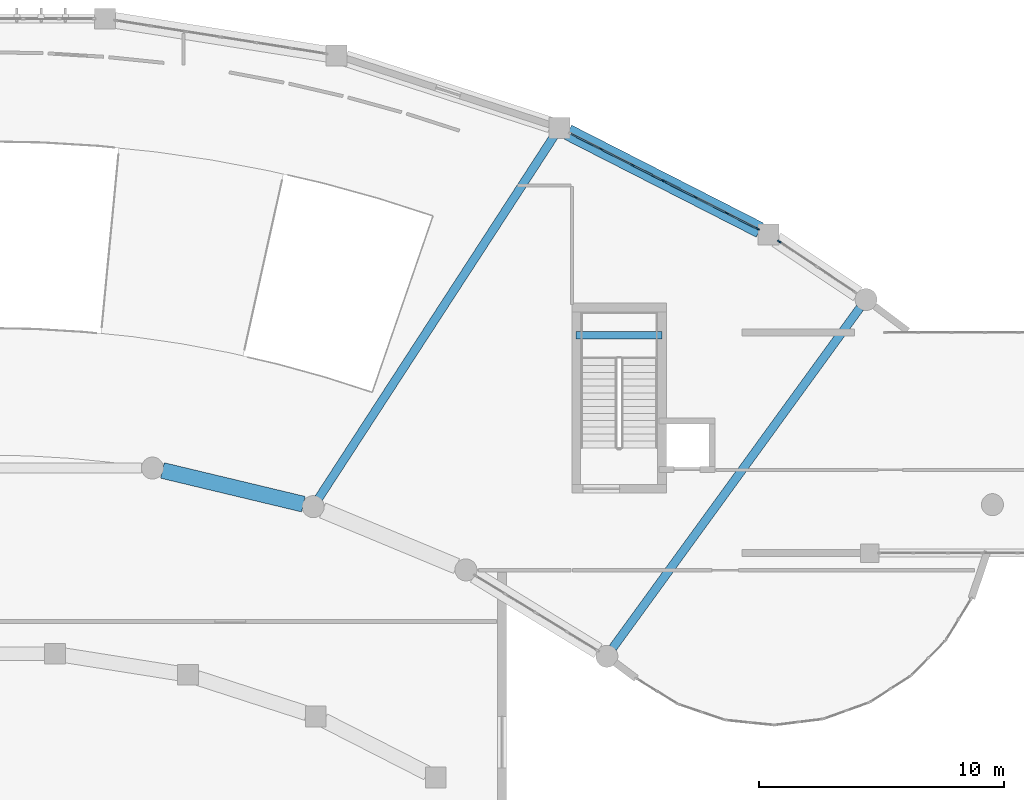
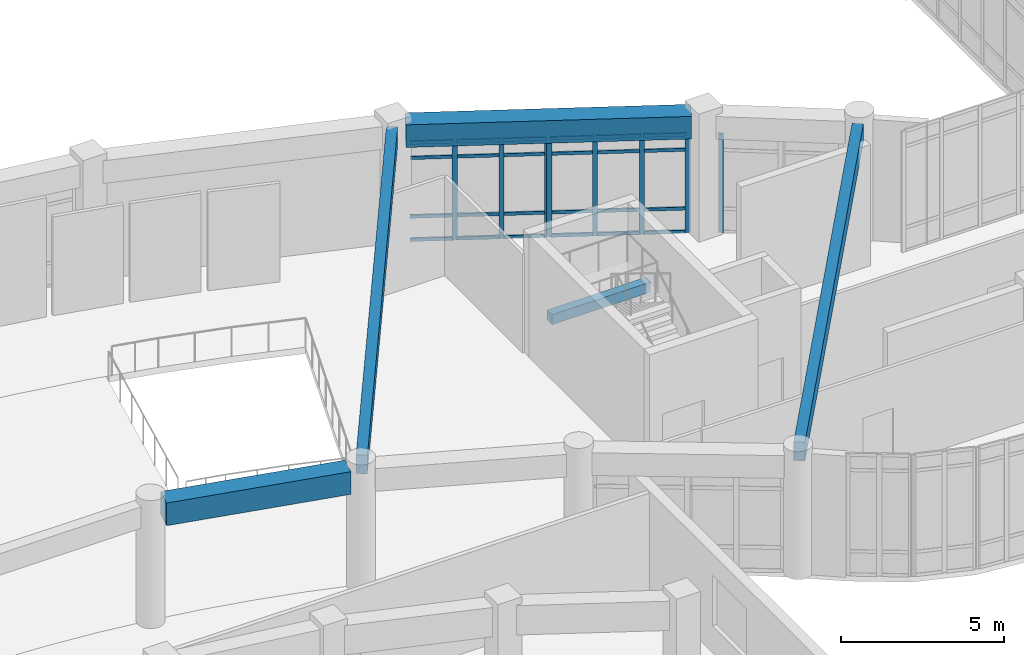
# One storey, part 17 of 68: 32 members, 5 beams, 3 elements without a shape of their own.
"""IFC4 building model written with IfcOpenShell, lengths in metres."""

from ifc_helpers import new_model, si_unit, direction, frame, origin, origin_2d, place, context, subcontext, project, spatial, rectangle, extrude, material, layer, layer_set, material_profile, profile_set, type_object, element, aggregate, save


model = new_model("IFC4")

# Units and contexts
model_context = context("Model", 3, precision=1e-05, world=origin(), true_north=direction((0.0, 1.0)))
body_context = subcontext(model_context, "Body", "Model", "MODEL_VIEW")
ifc_project = project(units=[si_unit("LENGTHUNIT", "METRE"), si_unit("AREAUNIT", "SQUARE_METRE"), si_unit("VOLUMEUNIT", "CUBIC_METRE"), si_unit("PLANEANGLEUNIT", "RADIAN"), si_unit("MASSUNIT", "GRAM", prefix="KILO")], contexts=[model_context])

# Site, building, storey
site_placement = place(None, origin())
site = spatial("IfcSite", under=ifc_project, at=site_placement, CompositionType="ELEMENT")
building_placement = place(site_placement, origin())
building = spatial("IfcBuilding", under=site, at=building_placement, Name="Miralva Faculty of Natural Sciences", CompositionType="ELEMENT")
storey_placement = place(building_placement, frame((0.0, 0.0, 5.39990234375)))
storey = spatial("IfcBuildingStorey", under=building, at=storey_placement, Name="L01", CompositionType="ELEMENT", Elevation=5.39990234375)

# Beams
ifc_material_1 = material(Name="Concrete C40/50", Category="concrete")
ifc_material_profile_1 = material_profile(ifc_material_1, rectangle(XDim=0.35009765625, YDim=0.699951171875, at=origin_2d()), Name="RC 350x700")
ifc_profile_set_1 = profile_set([ifc_material_profile_1], Name="Concrete C40/50")
beam_type_1 = type_object("IfcBeamType", Name="BM-B04", PredefinedType="BEAM", material=ifc_profile_set_1)
beam_1_placement = place(storey_placement, frame((115.513427734375, 14.125, 4.210205078125), z_axis=(0.587841921696, 0.80897581861, 0.0), x_axis=(-0.80897581861, 0.587841921696, 0.0)))
element("IfcBeam", 1, at=beam_1_placement, inside=storey, type_object=beam_type_1, Name="Swept-arc radial girder L01-1", PredefinedType="BEAM", context=body_context, shape_type="SweptSolid", body=[
    extrude(rectangle(XDim=0.35009765625, YDim=0.699951171875, at=origin_2d()), origin(), (0.0, 0.0, 1.0), 17.169921875),
])
beam_2_placement = place(storey_placement, frame((103.515625, 20.2470703125, 4.210205078125), z_axis=(0.545027279847, 0.838418311002, 0.0), x_axis=(-0.838418311002, 0.545027279847, 0.0)))
element("IfcBeam", 2, at=beam_2_placement, inside=storey, type_object=beam_type_1, Name="Swept-arc radial girder L01-3", PredefinedType="BEAM", context=body_context, shape_type="SweptSolid", body=[
    extrude(rectangle(XDim=0.35009765625, YDim=0.699951171875, at=origin_2d()), origin(), (0.0, 0.0, 1.0), 17.634521484375),
])
ifc_material_profile_2 = material_profile(ifc_material_1, rectangle(XDim=0.300048828125, YDim=0.3798828125, at=origin_2d()), Name="RC 300x380")
ifc_profile_set_2 = profile_set([ifc_material_profile_2], Name="Concrete C40/50")
beam_type_2 = type_object("IfcBeamType", Name="BM-LND01", PredefinedType="BEAM", material=ifc_profile_set_2)
beam_3_placement = place(storey_placement, frame((114.02490234375, 26.89501953125, 2.02001953125), z_axis=(1.0, 0.0, 0.0), x_axis=(0.0, 1.0, 0.0)))
element("IfcBeam", 3, at=beam_3_placement, inside=storey, type_object=beam_type_2, Name="Stair Core C3 half-landing support beam L01", PredefinedType="BEAM", context=body_context, shape_type="SweptSolid", body=[
    extrude(rectangle(XDim=0.300048828125, YDim=0.3798828125, at=origin_2d()), origin(), (0.0, 0.0, 1.0), 3.5),
])
ifc_material_profile_3 = material_profile(ifc_material_1, rectangle(XDim=0.64990234375, YDim=0.85009765625, at=origin_2d()), Name="RC 650x850")
ifc_profile_set_3 = profile_set([ifc_material_profile_3], Name="Concrete C40/50")
beam_type_3 = type_object("IfcBeamType", Name="BM-SP03", PredefinedType="SPANDREL", material=ifc_profile_set_3)
beam_4_placement = place(storey_placement, frame((121.521728515625, 31.1875, 4.135009765625), z_axis=(-0.890845120113, 0.454307133965, 0.0), x_axis=(-0.454307133965, -0.890845120113, 0.0)))
element("IfcBeam", 4, at=beam_4_placement, inside=storey, type_object=beam_type_3, Name="Curved chord girder SHOUT L01-2", PredefinedType="SPANDREL", context=body_context, shape_type="SweptSolid", body=[
    extrude(rectangle(XDim=0.64990234375, YDim=0.85009765625, at=origin_2d()), origin(), (0.0, 0.0, 1.0), 8.793212890625),
])
beam_5_placement = place(storey_placement, frame((102.887451171875, 19.996337890625, 4.10498046875), z_axis=(-0.972539519162, 0.232737800254, 0.0), x_axis=(-0.232737800254, -0.972539519162, 0.0)))
element("IfcBeam", 5, at=beam_5_placement, inside=storey, type_object=beam_type_3, Name="Curved chord girder ARCIN L01-3", PredefinedType="SPANDREL", context=body_context, shape_type="SweptSolid", body=[
    extrude(rectangle(XDim=0.64990234375, YDim=0.85009765625, at=origin_2d()), origin(), (0.0, 0.0, 1.0), 5.91748046875),
])

# Curtain wall, members
ifc_material_2 = material(Name="Laminated solar-control glass", Category="glass")
ifc_layer = layer(ifc_material_2, 0.179931640625, Name="CW-ARC-L01")
ifc_layer_set = layer_set([ifc_layer], Name="Laminated solar-control glass")
curtain_wall_type = type_object("IfcCurtainWallType", Name="CW-ARC-L01", PredefinedType="USERDEFINED", material=ifc_layer_set)
curtain_wall_1_placement = place(storey_placement, origin())
curtain_wall_1 = element("IfcCurtainWall", 6, at=curtain_wall_1_placement, inside=storey, type_object=curtain_wall_type, Name="Curtain wall CW-02 L01-43", ObjectType="UNITISED CURTAIN WALL", PredefinedType="USERDEFINED")
ifc_material_3 = material(Name="Anodised aluminium", Category="aluminium")
ifc_material_profile_4 = material_profile(ifc_material_3, rectangle(XDim=0.06494140625, YDim=0.159912109375, at=origin_2d()), Name="MULLION 65x160")
ifc_profile_set_4 = profile_set([ifc_material_profile_4], Name="Anodised aluminium")
member_type_1 = type_object("IfcMemberType", Name="CW-M02", PredefinedType="MULLION", material=ifc_profile_set_4)
member_1_placement = place(storey_placement, frame((115.041259765625, 34.49169921875, 0.0), z_axis=(0.0, 0.0, 1.0), x_axis=(0.453967729556, 0.89101812581, 0.0)))
member_1 = element("IfcMember", 7, at=member_1_placement, type_object=member_type_1, Name="CW-02 mullion 2", PredefinedType="MULLION", context=body_context, shape_type="SweptSolid", body=[
    extrude(rectangle(XDim=0.06494140625, YDim=0.159912109375, at=origin_2d()), origin(), (0.0, 0.0, 1.0), 3.705078125),
])
member_2_placement = place(storey_placement, frame((116.32470703125, 33.837646484375, 0.0), z_axis=(0.0, 0.0, 1.0), x_axis=(0.453967729556, 0.89101812581, 0.0)))
member_2 = element("IfcMember", 8, at=member_2_placement, type_object=member_type_1, Name="CW-02 mullion 3", PredefinedType="MULLION", context=body_context, shape_type="SweptSolid", body=[
    extrude(rectangle(XDim=0.06494140625, YDim=0.159912109375, at=origin_2d()), origin(), (0.0, 0.0, 1.0), 3.705078125),
])
member_3_placement = place(storey_placement, frame((117.5791015625, 33.19873046875, 0.0), z_axis=(0.0, 0.0, 1.0), x_axis=(0.453967729556, 0.89101812581, 0.0)))
member_3 = element("IfcMember", 9, at=member_3_placement, type_object=member_type_1, Name="CW-02 mullion 4", PredefinedType="MULLION", context=body_context, shape_type="SweptSolid", body=[
    extrude(rectangle(XDim=0.06494140625, YDim=0.159912109375, at=origin_2d()), origin(), (0.0, 0.0, 1.0), 3.705078125),
])

curtain_wall_2_placement = place(storey_placement, origin())
curtain_wall_2 = element("IfcCurtainWall", 10, at=curtain_wall_2_placement, inside=storey, type_object=curtain_wall_type, Name="Curtain wall CW-02 L01-44", ObjectType="UNITISED CURTAIN WALL", PredefinedType="USERDEFINED")
member_4_placement = place(storey_placement, frame((117.632568359375, 33.17138671875, 0.0), z_axis=(0.0, 0.0, 1.0), x_axis=(0.453996767698, 0.891003330476, 0.0)))
member_4 = element("IfcMember", 11, at=member_4_placement, type_object=member_type_1, Name="CW-02 mullion 1", PredefinedType="MULLION", context=body_context, shape_type="SweptSolid", body=[
    extrude(rectangle(XDim=0.06494140625, YDim=0.159912109375, at=origin_2d()), origin(), (0.0, 0.0, 1.0), 3.705078125),
])
member_5_placement = place(storey_placement, frame((118.888427734375, 32.531494140625, 0.0), z_axis=(0.0, 0.0, 1.0), x_axis=(0.453996767698, 0.891003330476, 0.0)))
member_5 = element("IfcMember", 12, at=member_5_placement, type_object=member_type_1, Name="CW-02 mullion 2", PredefinedType="MULLION", context=body_context, shape_type="SweptSolid", body=[
    extrude(rectangle(XDim=0.06494140625, YDim=0.159912109375, at=origin_2d()), origin(), (0.0, 0.0, 1.0), 3.705078125),
])
member_6_placement = place(storey_placement, frame((120.17333984375, 31.876953125, 0.0), z_axis=(0.0, 0.0, 1.0), x_axis=(0.453996767698, 0.891003330476, 0.0)))
member_6 = element("IfcMember", 13, at=member_6_placement, type_object=member_type_1, Name="CW-02 mullion 3", PredefinedType="MULLION", context=body_context, shape_type="SweptSolid", body=[
    extrude(rectangle(XDim=0.06494140625, YDim=0.159912109375, at=origin_2d()), origin(), (0.0, 0.0, 1.0), 3.705078125),
])
member_7_placement = place(storey_placement, frame((121.42919921875, 31.237060546875, 0.0), z_axis=(0.0, 0.0, 1.0), x_axis=(0.453996767698, 0.891003330476, 0.0)))
member_7 = element("IfcMember", 14, at=member_7_placement, type_object=member_type_1, Name="CW-02 mullion 4", PredefinedType="MULLION", context=body_context, shape_type="SweptSolid", body=[
    extrude(rectangle(XDim=0.06494140625, YDim=0.159912109375, at=origin_2d()), origin(), (0.0, 0.0, 1.0), 3.705078125),
])

# Curtain wall, member
curtain_wall_3_placement = place(storey_placement, origin())
curtain_wall_3 = element("IfcCurtainWall", 15, at=curtain_wall_3_placement, inside=storey, type_object=curtain_wall_type, Name="Curtain wall CW-02 L01-45", ObjectType="UNITISED CURTAIN WALL", PredefinedType="USERDEFINED")
member_8_placement = place(storey_placement, frame((122.31103515625, 30.718017578125, 0.0), z_axis=(0.0, 0.0, 1.0), x_axis=(0.555562302309, 0.831474911379, 0.0)))
member_8 = element("IfcMember", 16, at=member_8_placement, type_object=member_type_1, Name="CW-02 mullion 1", PredefinedType="MULLION", context=body_context, shape_type="SweptSolid", body=[
    extrude(rectangle(XDim=0.06494140625, YDim=0.159912109375, at=origin_2d()), origin(), (0.0, 0.0, 1.0), 3.705078125),
])
aggregate(curtain_wall_3, [member_8])

# Member
ifc_material_profile_5 = material_profile(ifc_material_3, rectangle(XDim=0.06005859375, YDim=0.1201171875, at=origin_2d()), Name="TRANSOM 60x120")
ifc_profile_set_5 = profile_set([ifc_material_profile_5], Name="Anodised aluminium")
member_type_2 = type_object("IfcMemberType", Name="CW-T02", PredefinedType="USERDEFINED", material=ifc_profile_set_5)
member_9_placement = place(storey_placement, frame((113.81591796875, 35.115966796875, 0.030029296875), z_axis=(0.891020072129, -0.453963909428, 0.0), x_axis=(0.453963909428, 0.891020072129, 0.0)))
member_9 = element("IfcMember", 17, at=member_9_placement, type_object=member_type_2, Name="CW-02 transom 1.1", ObjectType="TRANSOM", PredefinedType="USERDEFINED", context=body_context, shape_type="SweptSolid", body=[
    extrude(rectangle(XDim=0.06005859375, YDim=0.1201171875, at=origin_2d()), origin(), (0.0, 0.0, 1.0), 1.3427734375),
])

member_10_placement = place(storey_placement, frame((113.81591796875, 35.115966796875, 0.900146484375), z_axis=(0.891020072129, -0.453963909428, 0.0), x_axis=(0.453963909428, 0.891020072129, 0.0)))
member_10 = element("IfcMember", 18, at=member_10_placement, type_object=member_type_2, Name="CW-02 transom 1.2", ObjectType="TRANSOM", PredefinedType="USERDEFINED", context=body_context, shape_type="SweptSolid", body=[
    extrude(rectangle(XDim=0.06005859375, YDim=0.1201171875, at=origin_2d()), origin(), (0.0, 0.0, 1.0), 1.3427734375),
])

member_11_placement = place(storey_placement, frame((113.81591796875, 35.115966796875, 3.10498046875), z_axis=(0.891020072129, -0.453963909428, 0.0), x_axis=(0.453963909428, 0.891020072129, 0.0)))
member_11 = element("IfcMember", 19, at=member_11_placement, type_object=member_type_2, Name="CW-02 transom 1.3", ObjectType="TRANSOM", PredefinedType="USERDEFINED", context=body_context, shape_type="SweptSolid", body=[
    extrude(rectangle(XDim=0.06005859375, YDim=0.1201171875, at=origin_2d()), origin(), (0.0, 0.0, 1.0), 1.3427734375),
])

member_12_placement = place(storey_placement, frame((113.81591796875, 35.115966796875, 3.675048828125), z_axis=(0.891020072129, -0.453963909428, 0.0), x_axis=(0.453963909428, 0.891020072129, 0.0)))
member_12 = element("IfcMember", 20, at=member_12_placement, type_object=member_type_2, Name="CW-02 transom 1.4", ObjectType="TRANSOM", PredefinedType="USERDEFINED", context=body_context, shape_type="SweptSolid", body=[
    extrude(rectangle(XDim=0.06005859375, YDim=0.1201171875, at=origin_2d()), origin(), (0.0, 0.0, 1.0), 1.3427734375),
])

member_13_placement = place(storey_placement, frame((115.0703125, 34.476806640625, 0.030029296875), z_axis=(0.891028658075, -0.453947056923, 0.0), x_axis=(0.453947056923, 0.891028658075, 0.0)))
member_13 = element("IfcMember", 21, at=member_13_placement, type_object=member_type_2, Name="CW-02 transom 2.1", ObjectType="TRANSOM", PredefinedType="USERDEFINED", context=body_context, shape_type="SweptSolid", body=[
    extrude(rectangle(XDim=0.06005859375, YDim=0.1201171875, at=origin_2d()), origin(), (0.0, 0.0, 1.0), 1.375244140625),
])

member_14_placement = place(storey_placement, frame((115.0703125, 34.476806640625, 0.900146484375), z_axis=(0.891028658075, -0.453947056923, 0.0), x_axis=(0.453947056923, 0.891028658075, 0.0)))
member_14 = element("IfcMember", 22, at=member_14_placement, type_object=member_type_2, Name="CW-02 transom 2.2", ObjectType="TRANSOM", PredefinedType="USERDEFINED", context=body_context, shape_type="SweptSolid", body=[
    extrude(rectangle(XDim=0.06005859375, YDim=0.1201171875, at=origin_2d()), origin(), (0.0, 0.0, 1.0), 1.375244140625),
])

member_15_placement = place(storey_placement, frame((115.0703125, 34.476806640625, 3.10498046875), z_axis=(0.891028658075, -0.453947056923, 0.0), x_axis=(0.453947056923, 0.891028658075, 0.0)))
member_15 = element("IfcMember", 23, at=member_15_placement, type_object=member_type_2, Name="CW-02 transom 2.3", ObjectType="TRANSOM", PredefinedType="USERDEFINED", context=body_context, shape_type="SweptSolid", body=[
    extrude(rectangle(XDim=0.06005859375, YDim=0.1201171875, at=origin_2d()), origin(), (0.0, 0.0, 1.0), 1.375244140625),
])

member_16_placement = place(storey_placement, frame((115.0703125, 34.476806640625, 3.675048828125), z_axis=(0.891028658075, -0.453947056923, 0.0), x_axis=(0.453947056923, 0.891028658075, 0.0)))
member_16 = element("IfcMember", 24, at=member_16_placement, type_object=member_type_2, Name="CW-02 transom 2.4", ObjectType="TRANSOM", PredefinedType="USERDEFINED", context=body_context, shape_type="SweptSolid", body=[
    extrude(rectangle(XDim=0.06005859375, YDim=0.1201171875, at=origin_2d()), origin(), (0.0, 0.0, 1.0), 1.375244140625),
])

member_17_placement = place(storey_placement, frame((116.353759765625, 33.822998046875, 0.030029296875), z_axis=(0.891020072129, -0.453963909428, 0.0), x_axis=(0.453963909428, 0.891020072129, 0.0)))
member_17 = element("IfcMember", 25, at=member_17_placement, type_object=member_type_2, Name="CW-02 transom 3.1", ObjectType="TRANSOM", PredefinedType="USERDEFINED", context=body_context, shape_type="SweptSolid", body=[
    extrude(rectangle(XDim=0.06005859375, YDim=0.1201171875, at=origin_2d()), origin(), (0.0, 0.0, 1.0), 1.3427734375),
])

member_18_placement = place(storey_placement, frame((116.353759765625, 33.822998046875, 0.900146484375), z_axis=(0.891020072129, -0.453963909428, 0.0), x_axis=(0.453963909428, 0.891020072129, 0.0)))
member_18 = element("IfcMember", 26, at=member_18_placement, type_object=member_type_2, Name="CW-02 transom 3.2", ObjectType="TRANSOM", PredefinedType="USERDEFINED", context=body_context, shape_type="SweptSolid", body=[
    extrude(rectangle(XDim=0.06005859375, YDim=0.1201171875, at=origin_2d()), origin(), (0.0, 0.0, 1.0), 1.3427734375),
])

member_19_placement = place(storey_placement, frame((116.353759765625, 33.822998046875, 3.10498046875), z_axis=(0.891020072129, -0.453963909428, 0.0), x_axis=(0.453963909428, 0.891020072129, 0.0)))
member_19 = element("IfcMember", 27, at=member_19_placement, type_object=member_type_2, Name="CW-02 transom 3.3", ObjectType="TRANSOM", PredefinedType="USERDEFINED", context=body_context, shape_type="SweptSolid", body=[
    extrude(rectangle(XDim=0.06005859375, YDim=0.1201171875, at=origin_2d()), origin(), (0.0, 0.0, 1.0), 1.3427734375),
])

member_20_placement = place(storey_placement, frame((116.353759765625, 33.822998046875, 3.675048828125), z_axis=(0.891020072129, -0.453963909428, 0.0), x_axis=(0.453963909428, 0.891020072129, 0.0)))
member_20 = element("IfcMember", 28, at=member_20_placement, type_object=member_type_2, Name="CW-02 transom 3.4", ObjectType="TRANSOM", PredefinedType="USERDEFINED", context=body_context, shape_type="SweptSolid", body=[
    extrude(rectangle(XDim=0.06005859375, YDim=0.1201171875, at=origin_2d()), origin(), (0.0, 0.0, 1.0), 1.3427734375),
])

aggregate(curtain_wall_1, [member_1, member_2, member_3, member_9, member_10, member_11, member_12, member_13, member_14, member_15, member_16, member_17, member_18, member_19, member_20])

member_21_placement = place(storey_placement, frame((117.66162109375, 33.15673828125, 0.030029296875), z_axis=(0.890986824506, -0.45402916047, 0.0), x_axis=(0.45402916047, 0.890986824506, 0.0)))
member_21 = element("IfcMember", 29, at=member_21_placement, type_object=member_type_2, Name="CW-02 transom 1.1", ObjectType="TRANSOM", PredefinedType="USERDEFINED", context=body_context, shape_type="SweptSolid", body=[
    extrude(rectangle(XDim=0.06005859375, YDim=0.1201171875, at=origin_2d()), origin(), (0.0, 0.0, 1.0), 1.34423828125),
])

member_22_placement = place(storey_placement, frame((117.66162109375, 33.15673828125, 0.900146484375), z_axis=(0.890986824506, -0.45402916047, 0.0), x_axis=(0.45402916047, 0.890986824506, 0.0)))
member_22 = element("IfcMember", 30, at=member_22_placement, type_object=member_type_2, Name="CW-02 transom 1.2", ObjectType="TRANSOM", PredefinedType="USERDEFINED", context=body_context, shape_type="SweptSolid", body=[
    extrude(rectangle(XDim=0.06005859375, YDim=0.1201171875, at=origin_2d()), origin(), (0.0, 0.0, 1.0), 1.34423828125),
])

member_23_placement = place(storey_placement, frame((117.66162109375, 33.15673828125, 3.10498046875), z_axis=(0.890986824506, -0.45402916047, 0.0), x_axis=(0.45402916047, 0.890986824506, 0.0)))
member_23 = element("IfcMember", 31, at=member_23_placement, type_object=member_type_2, Name="CW-02 transom 1.3", ObjectType="TRANSOM", PredefinedType="USERDEFINED", context=body_context, shape_type="SweptSolid", body=[
    extrude(rectangle(XDim=0.06005859375, YDim=0.1201171875, at=origin_2d()), origin(), (0.0, 0.0, 1.0), 1.34423828125),
])

member_24_placement = place(storey_placement, frame((117.66162109375, 33.15673828125, 3.675048828125), z_axis=(0.890986824506, -0.45402916047, 0.0), x_axis=(0.45402916047, 0.890986824506, 0.0)))
member_24 = element("IfcMember", 32, at=member_24_placement, type_object=member_type_2, Name="CW-02 transom 1.4", ObjectType="TRANSOM", PredefinedType="USERDEFINED", context=body_context, shape_type="SweptSolid", body=[
    extrude(rectangle(XDim=0.06005859375, YDim=0.1201171875, at=origin_2d()), origin(), (0.0, 0.0, 1.0), 1.34423828125),
])

member_25_placement = place(storey_placement, frame((118.91748046875, 32.516845703125, 0.030029296875), z_axis=(0.890961003982, -0.454079827104, 0.0), x_axis=(0.454079827104, 0.890961003982, 0.0)))
member_25 = element("IfcMember", 33, at=member_25_placement, type_object=member_type_2, Name="CW-02 transom 2.1", ObjectType="TRANSOM", PredefinedType="USERDEFINED", context=body_context, shape_type="SweptSolid", body=[
    extrude(rectangle(XDim=0.06005859375, YDim=0.1201171875, at=origin_2d()), origin(), (0.0, 0.0, 1.0), 1.376953125),
])

member_26_placement = place(storey_placement, frame((118.91748046875, 32.516845703125, 0.900146484375), z_axis=(0.890961003982, -0.454079827104, 0.0), x_axis=(0.454079827104, 0.890961003982, 0.0)))
member_26 = element("IfcMember", 34, at=member_26_placement, type_object=member_type_2, Name="CW-02 transom 2.2", ObjectType="TRANSOM", PredefinedType="USERDEFINED", context=body_context, shape_type="SweptSolid", body=[
    extrude(rectangle(XDim=0.06005859375, YDim=0.1201171875, at=origin_2d()), origin(), (0.0, 0.0, 1.0), 1.376953125),
])

member_27_placement = place(storey_placement, frame((118.91748046875, 32.516845703125, 3.10498046875), z_axis=(0.890961003982, -0.454079827104, 0.0), x_axis=(0.454079827104, 0.890961003982, 0.0)))
member_27 = element("IfcMember", 35, at=member_27_placement, type_object=member_type_2, Name="CW-02 transom 2.3", ObjectType="TRANSOM", PredefinedType="USERDEFINED", context=body_context, shape_type="SweptSolid", body=[
    extrude(rectangle(XDim=0.06005859375, YDim=0.1201171875, at=origin_2d()), origin(), (0.0, 0.0, 1.0), 1.376953125),
])

member_28_placement = place(storey_placement, frame((118.91748046875, 32.516845703125, 3.675048828125), z_axis=(0.890961003982, -0.454079827104, 0.0), x_axis=(0.454079827104, 0.890961003982, 0.0)))
member_28 = element("IfcMember", 36, at=member_28_placement, type_object=member_type_2, Name="CW-02 transom 2.4", ObjectType="TRANSOM", PredefinedType="USERDEFINED", context=body_context, shape_type="SweptSolid", body=[
    extrude(rectangle(XDim=0.06005859375, YDim=0.1201171875, at=origin_2d()), origin(), (0.0, 0.0, 1.0), 1.376953125),
])

member_29_placement = place(storey_placement, frame((120.2021484375, 31.862060546875, 0.030029296875), z_axis=(0.891024253299, -0.45395570272, 0.0), x_axis=(0.45395570272, 0.891024253299, 0.0)))
member_29 = element("IfcMember", 37, at=member_29_placement, type_object=member_type_2, Name="CW-02 transom 3.1", ObjectType="TRANSOM", PredefinedType="USERDEFINED", context=body_context, shape_type="SweptSolid", body=[
    extrude(rectangle(XDim=0.06005859375, YDim=0.1201171875, at=origin_2d()), origin(), (0.0, 0.0, 1.0), 1.344482421875),
])

member_30_placement = place(storey_placement, frame((120.2021484375, 31.862060546875, 0.900146484375), z_axis=(0.891024253299, -0.45395570272, 0.0), x_axis=(0.45395570272, 0.891024253299, 0.0)))
member_30 = element("IfcMember", 38, at=member_30_placement, type_object=member_type_2, Name="CW-02 transom 3.2", ObjectType="TRANSOM", PredefinedType="USERDEFINED", context=body_context, shape_type="SweptSolid", body=[
    extrude(rectangle(XDim=0.06005859375, YDim=0.1201171875, at=origin_2d()), origin(), (0.0, 0.0, 1.0), 1.344482421875),
])

member_31_placement = place(storey_placement, frame((120.2021484375, 31.862060546875, 3.10498046875), z_axis=(0.891024253299, -0.45395570272, 0.0), x_axis=(0.45395570272, 0.891024253299, 0.0)))
member_31 = element("IfcMember", 39, at=member_31_placement, type_object=member_type_2, Name="CW-02 transom 3.3", ObjectType="TRANSOM", PredefinedType="USERDEFINED", context=body_context, shape_type="SweptSolid", body=[
    extrude(rectangle(XDim=0.06005859375, YDim=0.1201171875, at=origin_2d()), origin(), (0.0, 0.0, 1.0), 1.344482421875),
])

member_32_placement = place(storey_placement, frame((120.2021484375, 31.862060546875, 3.675048828125), z_axis=(0.891024253299, -0.45395570272, 0.0), x_axis=(0.45395570272, 0.891024253299, 0.0)))
member_32 = element("IfcMember", 40, at=member_32_placement, type_object=member_type_2, Name="CW-02 transom 3.4", ObjectType="TRANSOM", PredefinedType="USERDEFINED", context=body_context, shape_type="SweptSolid", body=[
    extrude(rectangle(XDim=0.06005859375, YDim=0.1201171875, at=origin_2d()), origin(), (0.0, 0.0, 1.0), 1.344482421875),
])

aggregate(curtain_wall_2, [member_4, member_5, member_6, member_7, member_21, member_22, member_23, member_24, member_25, member_26, member_27, member_28, member_29, member_30, member_31, member_32])

save(model, "model.ifc")
